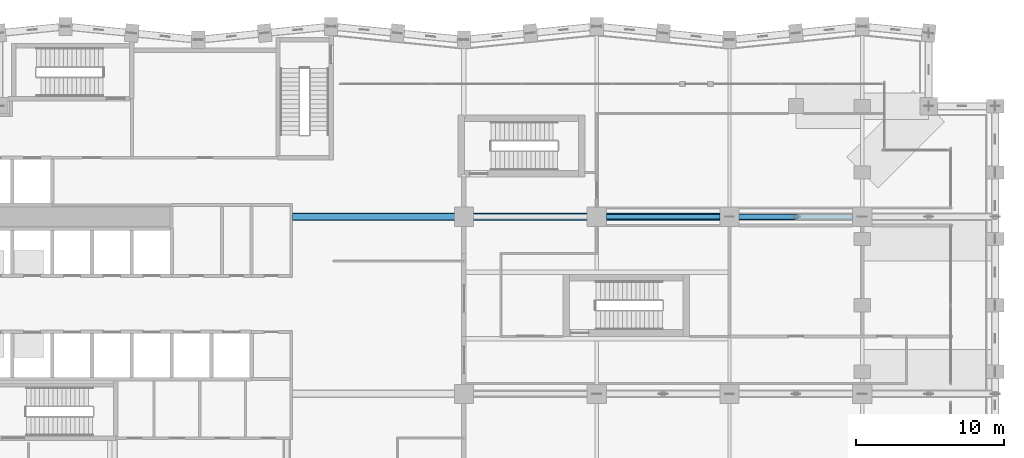
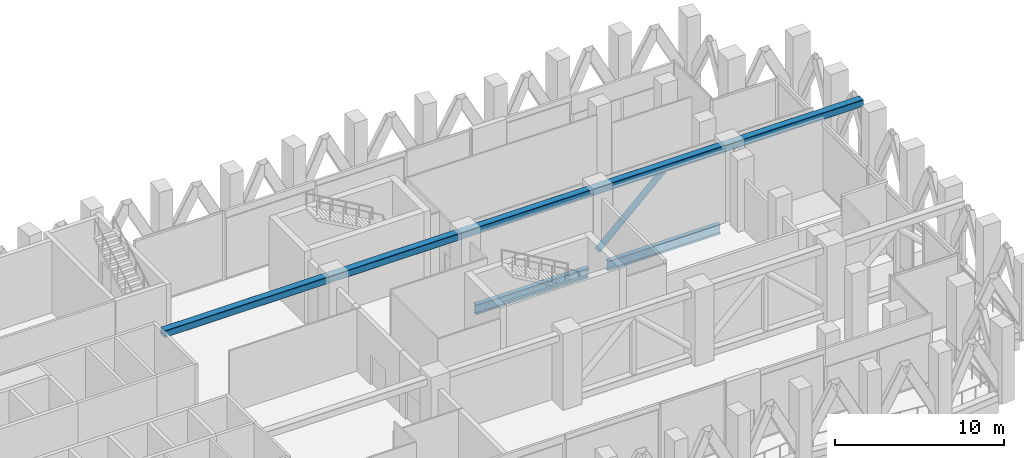
# One storey, part 16 of 37: 2 beams, 2 members.
"""IFC4 building model written with IfcOpenShell, lengths in metres."""

import ifcopenshell
import ifcopenshell.guid

model = None  # the IFC model being written
_history = None  # IfcOwnerHistory: only IFC2X3 demands one
_inside = {}  # id of a spatial element -> (the spatial element, [elements in it])
_under = {}  # id of a project, library or spatial element -> (it, [spatial elements below it])
_declared = {}  # id of a project -> (the project, [libraries it declares])
_typed = {}  # id of a type object -> (the type object, [elements of that type])
_made_of = {}  # id of a material, layer set ... -> (it, [elements and type objects made of it])


def new_model(schema):
    """Start an empty IFC model of exactly this schema.

    Asked for "IFC4X3", IfcOpenShell would pick the latest addendum, in which some entities
    have other attributes; the version numbers below select the first issue.
    IFC2X3 requires an IfcOwnerHistory on every rooted entity: one is made here for all.
    """
    global model, _history
    if schema == "IFC4X3":
        model = ifcopenshell.file(schema_version=(4, 3, 0, 0))
    else:
        model = ifcopenshell.file(schema=schema)
    _inside.clear()
    _under.clear()
    _declared.clear()
    _typed.clear()
    _made_of.clear()
    _history = None
    if model.schema == "IFC2X3":
        org = make("IfcOrganization", Name="unknown")
        user = make(
            "IfcPersonAndOrganization",
            ThePerson=make("IfcPerson", FamilyName="unknown"),
            TheOrganization=org,
        )
        app = make(
            "IfcApplication",
            ApplicationDeveloper=org,
            Version="unknown",
            ApplicationFullName="unknown",
            ApplicationIdentifier="unknown",
        )
        _history = make(
            "IfcOwnerHistory",
            OwningUser=user,
            OwningApplication=app,
            ChangeAction="ADDED",
            CreationDate=0,
        )
    return model


def make(cls, **values):
    """One entity of the class cls with the attributes given. An attribute that is None is left unset."""
    return model.create_entity(
        cls, **{name: value for name, value in values.items() if value is not None}
    )


def rooted(cls, **values):
    """An entity with a GlobalId (a new one), such as an element, a storey or a relation."""
    return make(cls, GlobalId=ifcopenshell.guid.new(), OwnerHistory=_history, **values)


def si_unit(unit_type, name, prefix=None):
    """IfcSIUnit, for example si_unit("LENGTHUNIT", "METRE", prefix="MILLI")."""
    return make("IfcSIUnit", UnitType=unit_type, Prefix=prefix, Name=name)


def assignment(units):
    """IfcUnitAssignment: the units of a project."""
    return None if units is None else make("IfcUnitAssignment", Units=units)


def point(xyz):
    """IfcCartesianPoint."""
    return None if xyz is None else make("IfcCartesianPoint", Coordinates=xyz)


def direction(xyz):
    """IfcDirection."""
    return None if xyz is None else make("IfcDirection", DirectionRatios=xyz)


def frame(location, z_axis=None, x_axis=None):
    """IfcAxis2Placement3D, a coordinate frame: its origin and axes. An axis left out is left unset."""
    return make(
        "IfcAxis2Placement3D",
        Location=point(location),
        Axis=direction(z_axis),
        RefDirection=direction(x_axis),
    )


def frame_2d(location, x_axis=None):
    """IfcAxis2Placement2D, a coordinate frame in the plane: its origin and x axis."""
    return make(
        "IfcAxis2Placement2D", Location=point(location), RefDirection=direction(x_axis)
    )


def origin():
    """The frame at (0, 0, 0) with its axes left unset."""
    return frame((0.0, 0.0, 0.0))


def origin_2d():
    """The frame at (0, 0) in the plane with its x axis left unset."""
    return frame_2d((0.0, 0.0))


def place(relative_to, where):
    """IfcLocalPlacement: puts the frame where relative to a parent placement (None: the world)."""
    return make(
        "IfcLocalPlacement", PlacementRelTo=relative_to, RelativePlacement=where
    )


def context(
    kind, dimensions, precision=None, world=None, true_north=None, identifier=None
):
    """IfcGeometricRepresentationContext, for example the 3D "Model" context."""
    return make(
        "IfcGeometricRepresentationContext",
        ContextIdentifier=identifier,
        ContextType=kind,
        CoordinateSpaceDimension=dimensions,
        Precision=precision,
        WorldCoordinateSystem=world,
        TrueNorth=true_north,
    )


def subcontext(parent, identifier, kind, view, scale=None):
    """IfcGeometricRepresentationSubContext, for example "Body" below "Model"."""
    return make(
        "IfcGeometricRepresentationSubContext",
        ContextIdentifier=identifier,
        ContextType=kind,
        ParentContext=parent,
        TargetScale=scale,
        TargetView=view,
    )


def project(units=None, contexts=None):
    """IfcProject with its units and contexts."""
    return rooted(
        "IfcProject",
        Name="project",
        RepresentationContexts=contexts,
        UnitsInContext=assignment(units),
    )


def spatial(cls, under=None, at=None, **own):
    """A site, building, storey or space (cls), placed at a placement, below another one or the project."""
    s = rooted(cls, ObjectPlacement=at, **own)
    if under is not None:
        _under.setdefault(under.id(), (under, []))[1].append(s)
    return s


def profile(cls, at=None, kind="AREA", **sizes):
    """A parametric profile (cls). Its sizes go by their IFC names, for example OverallWidth=200.0."""
    return make(cls, ProfileType=kind, Position=at, **sizes)


def hollow_rectangle(**sizes):
    """IfcRectangleHollowProfileDef."""
    return profile("IfcRectangleHollowProfileDef", **sizes)


def hollow_circle(**sizes):
    """IfcCircleHollowProfileDef."""
    return profile("IfcCircleHollowProfileDef", **sizes)


def i_section(**sizes):
    """IfcIShapeProfileDef."""
    return profile("IfcIShapeProfileDef", **sizes)


def extrude(swept, where, along, depth):
    """IfcExtrudedAreaSolid: the profile swept, set in the frame where, extruded along a direction by depth."""
    return make(
        "IfcExtrudedAreaSolid",
        SweptArea=swept,
        Position=where,
        ExtrudedDirection=direction(along),
        Depth=depth,
    )


def shape(context_of_items, identifier, shape_type, items):
    """IfcShapeRepresentation: the items that make up one representation, for example the "Body"."""
    return make(
        "IfcShapeRepresentation",
        ContextOfItems=context_of_items,
        RepresentationIdentifier=identifier,
        RepresentationType=shape_type,
        Items=items,
    )


def material(Name=None, Category=None):
    """IfcMaterial."""
    return make("IfcMaterial", Name=Name, Category=Category)


def material_profile(
    of_material, cross_section, Name=None, Category=None, Priority=None
):
    """IfcMaterialProfile: a cross section and its material."""
    return make(
        "IfcMaterialProfile",
        Name=Name,
        Material=of_material,
        Profile=cross_section,
        Priority=Priority,
        Category=Category,
    )


def profile_set(profiles, Name=None, composite=None):
    """IfcMaterialProfileSet."""
    return make(
        "IfcMaterialProfileSet",
        Name=Name,
        MaterialProfiles=profiles,
        CompositeProfile=composite,
    )


def made_of(thing, what):
    """Note that an element or type object is made of a material, layer set ...; save() writes the relation."""
    if what is not None:
        _made_of.setdefault(what.id(), (what, []))[1].append(thing)
    return thing


def type_object(cls, material=None, **own):
    """A type object (cls), such as IfcWallType, which elements share."""
    return made_of(rooted(cls, **own), material)


def element(
    cls,
    number,
    at=None,
    inside=None,
    cuts=None,
    type_object=None,
    material=None,
    context=None,
    identifier="Body",
    shape_type=None,
    held_by="IfcProductDefinitionShape",
    body=None,
    shapes=None,
    **own,
):
    """One element of the class cls, such as IfcWall. Its Tag is "e" and its number.

    at: its placement. inside: the storey or other place that contains it. cuts: it is an
    opening in that element (IfcRelVoidsElement). A single representation is given by context,
    identifier, shape_type and body (its items); several are given by shapes. held_by: the class
    of the entity that holds the representations. save() writes the other relations.
    """
    e = rooted(cls, Tag="e%d" % number, ObjectPlacement=at, **own)
    if body is not None:
        shapes = [shape(context, identifier, shape_type, body)]
    if shapes is not None:
        e.Representation = make(held_by, Representations=shapes)
    if inside is not None:
        _inside.setdefault(inside.id(), (inside, []))[1].append(e)
    if cuts is not None:
        rooted(
            "IfcRelVoidsElement", RelatingBuildingElement=cuts, RelatedOpeningElement=e
        )
    if type_object is not None:
        _typed.setdefault(type_object.id(), (type_object, []))[1].append(e)
    return made_of(e, material)


def aggregate(whole, parts):
    """IfcRelAggregates: a whole, such as a stair, and the parts it consists of."""
    return rooted("IfcRelAggregates", RelatingObject=whole, RelatedObjects=parts)


def save(model, path):
    """Write the relations noted so far, then the file.

    IfcRelAggregates (storeys below a building ...), IfcRelContainedInSpatialStructure (elements
    in a storey), IfcRelDefinesByType, IfcRelAssociatesMaterial and IfcRelDeclares: one each for
    every whole, place, type object, material and project.
    """
    for whole, parts in _under.values():
        aggregate(whole, parts)
    for where, things in _inside.values():
        rooted(
            "IfcRelContainedInSpatialStructure",
            RelatedElements=things,
            RelatingStructure=where,
        )
    for kind, things in _typed.values():
        rooted("IfcRelDefinesByType", RelatedObjects=things, RelatingType=kind)
    for what, things in _made_of.values():
        rooted("IfcRelAssociatesMaterial", RelatedObjects=things, RelatingMaterial=what)
    for by, libraries in _declared.values():
        rooted("IfcRelDeclares", RelatingContext=by, RelatedDefinitions=libraries)
    model.write(path)


model = new_model("IFC4")

# Units and contexts
model_context = context("Model", 3, precision=1e-05, world=origin(), true_north=direction((0.0, 1.0)))
body_context = subcontext(model_context, "Body", "Model", "MODEL_VIEW")
ifc_project = project(units=[si_unit("LENGTHUNIT", "METRE"), si_unit("AREAUNIT", "SQUARE_METRE"), si_unit("VOLUMEUNIT", "CUBIC_METRE"), si_unit("PLANEANGLEUNIT", "RADIAN"), si_unit("MASSUNIT", "GRAM", prefix="KILO")], contexts=[model_context])

# Site, building, storey
site_placement = place(None, origin())
site = spatial("IfcSite", under=ifc_project, at=site_placement, CompositionType="ELEMENT")
building_placement = place(site_placement, origin())
building = spatial("IfcBuilding", under=site, at=building_placement, Name="Brondeck Convention Tower", CompositionType="ELEMENT")
storey_placement = place(building_placement, frame((0.0, 0.0, 137.89990234375)))
storey = spatial("IfcBuildingStorey", under=building, at=storey_placement, Name="L33", CompositionType="ELEMENT", Elevation=137.89990234375)

# Beams
ifc_material_1 = material(Name="Steel S355", Category="steel")
ifc_material_profile_1 = material_profile(ifc_material_1, i_section(OverallWidth=0.300048828125, OverallDepth=0.699951171875, WebThickness=0.01708984375, FlangeThickness=0.031982421875, FilletRadius=0.027099609375, at=origin_2d()), Name="HEB 700")
ifc_profile_set_1 = profile_set([ifc_material_profile_1], Name="Steel S355")
beam_type = type_object("IfcBeamType", Name="Girder HEB 700", PredefinedType="BEAM", material=ifc_profile_set_1)
for number, where, z_axis, x_axis, name in (
    (1, (45.64990234375, 51.0, -0.7998046875), (1.0, 0.0, 0.0), (0.0, 1.0, 0.0), "STR-GR-L33-006"),
    (2, (54.64990234375, 51.0, -0.7998046875), (1.0, 0.0, 0.0), (0.0, 1.0, 0.0), "STR-GR-L33-007"),
):
    element("IfcBeam", number, at=place(storey_placement, frame(where, z_axis=z_axis, x_axis=x_axis)), inside=storey, type_object=beam_type, Name=name, PredefinedType="BEAM", context=body_context, shape_type="SweptSolid", body=[
        extrude(i_section(OverallWidth=0.300048828125, OverallDepth=0.699951171875, WebThickness=0.01708984375, FlangeThickness=0.031982421875, FilletRadius=0.027099609375, at=origin_2d()), origin(), (0.0, 0.0, 1.0), 7.7001953125),
    ])

# Members
ifc_material_2 = material(Name="Steel S460", Category="steel")
ifc_material_profile_2 = material_profile(ifc_material_2, hollow_rectangle(XDim=0.5, YDim=0.5, WallThickness=0.02490234375, InnerFilletRadius=0.02490234375, OuterFilletRadius=0.050048828125, at=origin_2d()), Name="RHS 500x500x25")
ifc_profile_set_2 = profile_set([ifc_material_profile_2], Name="Steel S460")
member_type_1 = type_object("IfcMemberType", Name="Truss chord RHS 500x500x25", PredefinedType="CHORD", material=ifc_profile_set_2)
member_1_placement = place(storey_placement, frame((24.3701171875, 51.0, 4.9501953125), z_axis=(1.0, 0.0, 0.0), x_axis=(0.0, 1.0, 0.0)))
element("IfcMember", 3, at=member_1_placement, inside=storey, type_object=member_type_1, Name="Outrigger truss OT-33-A2 chord", PredefinedType="CHORD", context=body_context, shape_type="SweptSolid", body=[
    extrude(hollow_rectangle(XDim=0.5, YDim=0.5, WallThickness=0.02490234375, InnerFilletRadius=0.02490234375, OuterFilletRadius=0.050048828125, at=origin_2d()), origin(), (0.0, 0.0, 1.0), 47.6298828125),
])
ifc_material_profile_3 = material_profile(ifc_material_2, hollow_circle(Radius=0.203125, WallThickness=0.02490234375, at=origin_2d()), Name="CHS 406.4x25")
ifc_profile_set_3 = profile_set([ifc_material_profile_3], Name="Steel S460")
member_type_2 = type_object("IfcMemberType", Name="Truss diagonal CHS 406.4x25", PredefinedType="BRACE", material=ifc_profile_set_3)
member_2_placement = place(storey_placement, frame((54.0, 51.0, 0.5), z_axis=(0.731039441158, 0.0, 0.682335207557), x_axis=(0.0, 1.0, 0.0)))
element("IfcMember", 4, at=member_2_placement, inside=storey, type_object=member_type_2, Name="Outrigger truss OT-33-A2 diagonal", PredefinedType="BRACE", context=body_context, shape_type="SweptSolid", body=[
    extrude(hollow_circle(Radius=0.203125, WallThickness=0.02490234375, at=origin_2d()), origin(), (0.0, 0.0, 1.0), 6.155517578125),
])

save(model, "model.ifc")
